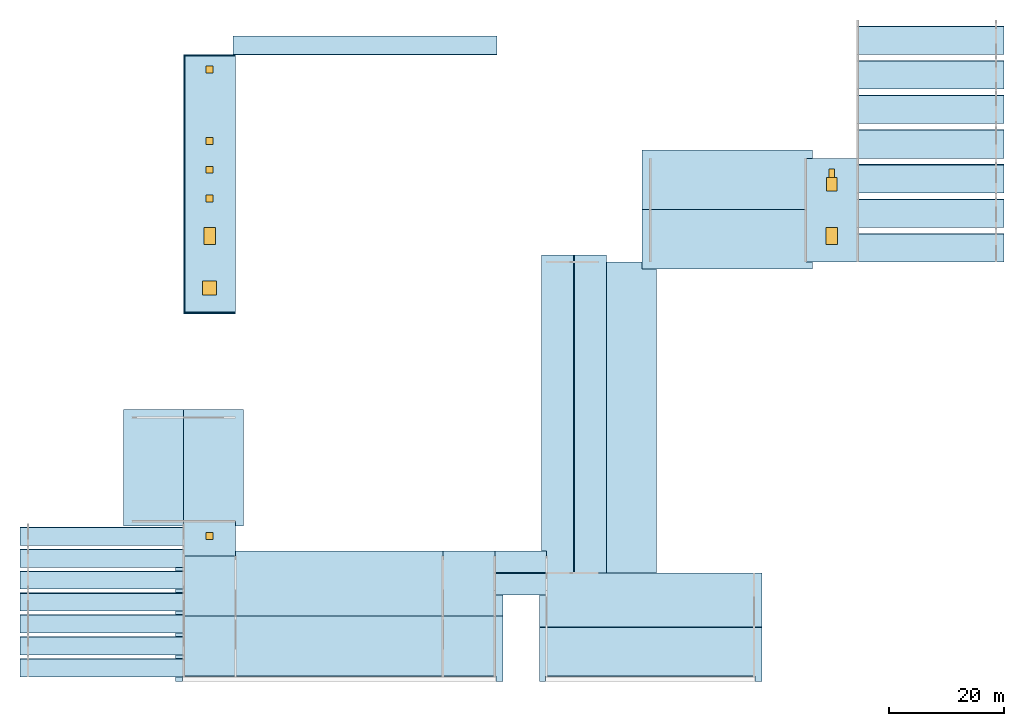
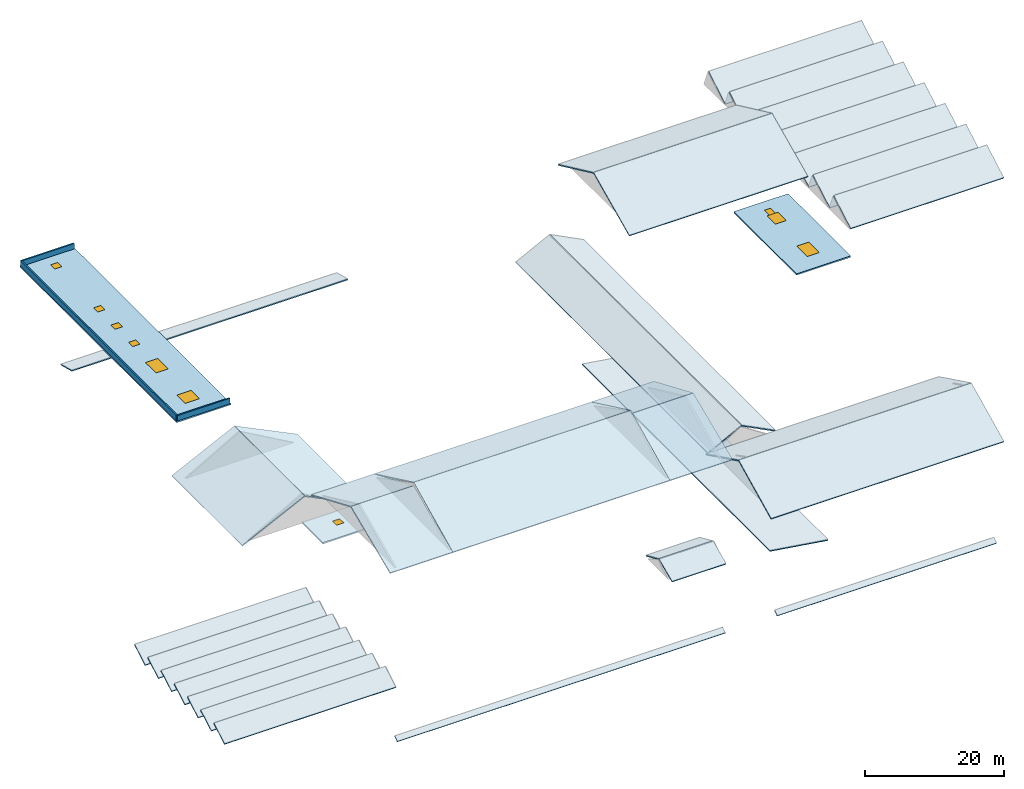
"""IFC4 building model written with IfcOpenShell, lengths in metres."""

from ifc_helpers import new_model, si_unit, direction, frame, frame_2d, origin, origin_2d, place, context, subcontext, project, spatial, polyline, rectangle, outline, extrude, material, layer, layer_set, type_object, element, fill, save


model = new_model("IFC4")

# Units and contexts
model_context = context("Model", 3, precision=1e-05, world=origin(), true_north=direction((0.0, 1.0)))
body_context = subcontext(model_context, "Body", "Model", "MODEL_VIEW")
ifc_project = project(units=[si_unit("LENGTHUNIT", "METRE"), si_unit("AREAUNIT", "SQUARE_METRE"), si_unit("VOLUMEUNIT", "CUBIC_METRE"), si_unit("PLANEANGLEUNIT", "RADIAN"), si_unit("MASSUNIT", "GRAM", prefix="KILO")], contexts=[model_context])

# Site, building, storey
site_placement = place(None, origin())
site = spatial("IfcSite", under=ifc_project, at=site_placement, CompositionType="ELEMENT")
building_placement = place(site_placement, origin())
building = spatial("IfcBuilding", under=site, at=building_placement, Name="Lykobir Media Centre", CompositionType="ELEMENT")
storey_1_placement = place(building_placement, frame((0.0, 0.0, 40.199951171875)))
storey_1 = spatial("IfcBuildingStorey", under=building, at=storey_1_placement, Name="Roof", CompositionType="ELEMENT", Elevation=40.199951171875)

# Slabs
ifc_material_1 = material(Name="Concrete C30/37", Category="concrete")
ifc_layer_1 = layer(ifc_material_1, 0.169921875, Name="Concrete C30/37")
ifc_layer_set_1 = layer_set([ifc_layer_1], Name="Concrete C30/37")
slab_type_1 = type_object("IfcSlabType", Name="RS-170", PredefinedType="ROOF", material=ifc_layer_set_1)
slab_1_placement = place(storey_1_placement, frame((109.10009765625, 18.02001953125, -34.800048828125), z_axis=(0.148608369023, 0.0, 0.988896128345), x_axis=(0.0, 1.0, 0.0)))
element("IfcSlab", 1, at=slab_1_placement, inside=storey_1, type_object=slab_type_1, Name="East Cloister podium roof structural deck", PredefinedType="ROOF", context=body_context, shape_type="SweptSolid", body=[
    extrude(outline(polyline([(0.0, 0.0), (53.9599609375, 0.0), (53.9599609375, 9.758503656518869), (0.0, 9.758503656518869), (0.0, 0.0)])), origin(), (0.0, 0.0, -1.0), 0.169921875),
])
slab_2_placement = place(storey_1_placement, frame((26.800048828125, -0.780029296875, -30.0), z_axis=(0.0, -0.576291473661, 0.81724423362), x_axis=(1.0, 0.0, 0.0)))
element("IfcSlab", 2, at=slab_2_placement, inside=storey_1, type_object=slab_type_1, Name="South Avenue West Revak portico roof structural deck", PredefinedType="ROOF", context=body_context, shape_type="SweptSolid", body=[
    extrude(outline(polyline([(0.0, 0.0), (54.39990234375, 0.0), (54.39990234375, 0.954462894671654), (0.0, 0.954462894671654), (0.0, 0.0)])), origin(), (0.0, 0.0, -1.0), 0.169921875),
])
slab_3_placement = place(storey_1_placement, frame((89.800048828125, -0.780029296875, -30.0), z_axis=(0.0, -0.576291473661, 0.81724423362), x_axis=(1.0, 0.0, 0.0)))
element("IfcSlab", 3, at=slab_3_placement, inside=storey_1, type_object=slab_type_1, Name="South Avenue East Revak portico roof structural deck", PredefinedType="ROOF", context=body_context, shape_type="SweptSolid", body=[
    extrude(outline(polyline([(0.0, 0.0), (36.39990234375, 0.0), (36.39990234375, 0.954462894671654), (0.0, 0.954462894671654), (0.0, 0.0)])), origin(), (0.0, 0.0, -1.0), 0.169921875),
])
slab_4_placement = place(storey_1_placement, frame((35.60009765625, 111.199951171875, -34.800048828125), z_axis=(0.0, 0.256753821904, 0.966476836214), x_axis=(1.0, 0.0, 0.0)))
element("IfcSlab", 4, at=slab_4_placement, inside=storey_1, type_object=slab_type_1, Name="North Avenue Revak entrance portico roof structural deck", PredefinedType="ROOF", context=body_context, shape_type="SweptSolid", body=[
    extrude(outline(polyline([(0.0, 0.0), (45.7998046875, 0.0), (45.7998046875, -3.310944506865968), (0.0, -3.310944506865968), (0.0, 0.0)])), origin(), (0.0, 0.0, -1.0), 0.169921875),
])
ifc_layer_2 = layer(ifc_material_1, 0.18994140625, Name="Concrete C30/37")
ifc_layer_set_2 = layer_set([ifc_layer_2], Name="Concrete C30/37")
slab_type_2 = type_object("IfcSlabType", Name="RS-190", PredefinedType="ROOF", material=ifc_layer_set_2)
for number, where, z_axis, x_axis, name in (
    (5, (16.60009765625, 46.39990234375, -8.39990234375), (-0.438871393372, 0.0, 0.898549887363), (0.0, -1.0, 0.0), "V3-PAV roof slope W"),
    (6, (37.39990234375, 26.199951171875, -8.39990234375), (0.438871393372, 0.0, 0.898549887363), (0.0, 1.0, 0.0), "V3-PAV roof slope E"),
):
    element("IfcSlab", number, at=place(storey_1_placement, frame(where, z_axis=z_axis, x_axis=x_axis)), inside=storey_1, type_object=slab_type_2, Name=name, PredefinedType="ROOF", context=body_context, shape_type="SweptSolid", body=[
        extrude(outline(polyline([(0.0, 0.0), (20.199951171875, 0.0), (20.199951171875, 11.557521637560678), (0.0, 11.557521637560678), (0.0, 0.0)])), origin(), (0.0, 0.0, -1.0), 0.18994140625),
    ])
slab_5_placement = place(storey_1_placement, frame((88.800048828125, -0.780029296875, -12.599853515625), z_axis=(0.0, -0.438935631142, 0.898518509389), x_axis=(1.0, 0.0, 0.0)))
element("IfcSlab", 7, at=slab_5_placement, inside=storey_1, type_object=slab_type_2, Name="V5-SOUTH roof slope S", PredefinedType="ROOF", context=body_context, shape_type="SweptSolid", body=[
    extrude(outline(polyline([(0.0, 0.0), (38.599853515625, 0.0), (38.599853515625, 10.41726722829819), (0.0, 10.41726722829819), (0.0, 0.0)])), origin(), (0.0, 0.0, -1.0), 0.18994140625),
])
slab_6_placement = place(storey_1_placement, frame((127.39990234375, 17.969970703125, -12.599853515625), z_axis=(0.0, 0.438944874338, 0.898513993933), x_axis=(-1.0, 0.0, 0.0)))
element("IfcSlab", 8, at=slab_6_placement, inside=storey_1, type_object=slab_type_2, Name="V5-SOUTH roof slope N", PredefinedType="ROOF", context=body_context, shape_type="SweptSolid", body=[
    extrude(outline(polyline([(0.0, 0.0), (38.599853515625, 0.0), (38.599853515625, 10.417047863978931), (0.0, 10.417047863978931), (0.0, 0.0)])), origin(), (0.0, 0.0, -1.0), 0.18994140625),
])
for number, where, z_axis, x_axis, name in (
    (9, (89.10009765625, 73.199951171875, -12.599853515625), (-0.453990077236, 0.0, 0.891006739465), (0.0, -1.0, 0.0), "V5-PASAJ roof slope W"),
    (10, (100.39990234375, 18.030029296875, -12.599853515625), (0.453990077236, 0.0, 0.891006739465), (0.0, 1.0, 0.0), "V5-PASAJ roof slope E"),
):
    element("IfcSlab", number, at=place(storey_1_placement, frame(where, z_axis=z_axis, x_axis=x_axis)), inside=storey_1, type_object=slab_type_2, Name=name, PredefinedType="ROOF", context=body_context, shape_type="SweptSolid", body=[
        extrude(outline(polyline([(0.0, 0.0), (55.169921875, 0.0), (55.169921875, 6.256912461990695), (0.0, 6.256912461990695), (0.0, 0.0)])), origin(), (0.0, 0.0, -1.0), 0.18994140625),
    ])
for number, where, z_axis, x_axis, name in (
    (11, (106.60009765625, 70.800048828125, -12.599853515625), (0.0, -0.423128004547, 0.906069915497), (1.0, 0.0, 0.0), "V5-NORTH roof slope S"),
    (12, (136.199951171875, 91.39990234375, -12.599853515625), (0.0, 0.423128004547, 0.906069915497), (-1.0, 0.0, 0.0), "V5-NORTH roof slope N"),
):
    element("IfcSlab", number, at=place(storey_1_placement, frame(where, z_axis=z_axis, x_axis=x_axis)), inside=storey_1, type_object=slab_type_2, Name=name, PredefinedType="ROOF", context=body_context, shape_type="SweptSolid", body=[
        extrude(outline(polyline([(0.0, 0.0), (29.599853515625, 0.0), (29.599853515625, 11.351124161030214), (0.0, 11.351124161030214), (0.0, 0.0)])), origin(), (0.0, 0.0, -1.0), 0.18994140625),
    ])
for number, where, z_axis, x_axis, name in (
    (13, (25.60009765625, -0.780029296875, 0.0), (0.0, -0.391172218266, 0.920317497202), (1.0, 0.0, 0.0), "V7-WEST roof slope S"),
    (14, (36.0, 21.85009765625, 0.0), (0.0, 0.391172218266, 0.920317497202), (-1.0, 0.0, 0.0), "V7-WEST roof slope N"),
):
    element("IfcSlab", number, at=place(storey_1_placement, frame(where, z_axis=z_axis, x_axis=x_axis)), inside=storey_1, type_object=slab_type_2, Name=name, PredefinedType="ROOF", context=body_context, shape_type="SweptSolid", body=[
        extrude(outline(polyline([(0.0, 0.0), (10.39990234375, 0.0), (10.39990234375, 12.278424416005684), (0.0, 12.278424416005684), (0.0, 0.0)])), origin(), (0.0, 0.0, -1.0), 0.18994140625),
    ])
for number, where, z_axis, x_axis, name in (
    (15, (36.010009765625, -0.780029296875, 0.0), (0.0, -0.430974609099, 0.9023640542), (1.0, 0.0, 0.0), "V7-CROWN roof slope S"),
    (16, (71.989990234375, 21.85009765625, 0.0), (0.0, 0.430974609099, 0.9023640542), (-1.0, 0.0, 0.0), "V7-CROWN roof slope N"),
):
    element("IfcSlab", number, at=place(storey_1_placement, frame(where, z_axis=z_axis, x_axis=x_axis)), inside=storey_1, type_object=slab_type_2, Name=name, PredefinedType="ROOF", context=body_context, shape_type="SweptSolid", body=[
        extrude(outline(polyline([(0.0, 0.0), (35.97998046875, 0.0), (35.97998046875, 12.522716054048313), (0.0, 12.522716054048313), (0.0, 0.0)])), origin(), (0.0, 0.0, -1.0), 0.18994140625),
    ])
for number, where, z_axis, x_axis, name in (
    (17, (72.0, -0.780029296875, 0.0), (0.0, -0.391172218266, 0.920317497202), (1.0, 0.0, 0.0), "V7-EAST roof slope S"),
    (18, (82.39990234375, 21.85009765625, 0.0), (0.0, 0.391172218266, 0.920317497202), (-1.0, 0.0, 0.0), "V7-EAST roof slope N"),
):
    element("IfcSlab", number, at=place(storey_1_placement, frame(where, z_axis=z_axis, x_axis=x_axis)), inside=storey_1, type_object=slab_type_2, Name=name, PredefinedType="ROOF", context=body_context, shape_type="SweptSolid", body=[
        extrude(outline(polyline([(0.0, 0.0), (10.39990234375, 0.0), (10.39990234375, 12.278424416005684), (0.0, 12.278424416005684), (0.0, 0.0)])), origin(), (0.0, 0.0, -1.0), 0.18994140625),
    ])
for number, where, z_axis, x_axis, name in (
    (19, (81.02001953125, 14.199951171875, -30.0), (0.0, -0.406721688436, 0.913552115731), (1.0, 0.0, 0.0), "BR1-CAN roof slope S"),
    (20, (89.97998046875, 21.800048828125, -30.0), (0.0, 0.406721688436, 0.913552115731), (-1.0, 0.0, 0.0), "BR1-CAN roof slope N"),
):
    element("IfcSlab", number, at=place(storey_1_placement, frame(where, z_axis=z_axis, x_axis=x_axis)), inside=storey_1, type_object=slab_type_2, Name=name, PredefinedType="ROOF", context=body_context, shape_type="SweptSolid", body=[
        extrude(outline(polyline([(0.0, 0.0), (8.9599609375, 0.0), (8.9599609375, 4.077597317227179), (0.0, 4.077597317227179), (0.0, 0.0)])), origin(), (0.0, 0.0, -1.0), 0.18994140625),
    ])
ifc_layer_3 = layer(ifc_material_1, 0.2099609375, Name="Concrete C30/37")
ifc_layer_set_3 = layer_set([ifc_layer_3], Name="Concrete C30/37")
slab_type_3 = type_object("IfcSlabType", Name="RS-210", PredefinedType="ROOF", material=ifc_layer_set_3)
for number, where, z_axis, x_axis, name in (
    (21, (-1.39990234375, 0.0, -21.0), (0.0, -0.500013496215, 0.866017611601), (1.0, 0.0, 0.0), "V1 sawtooth roof slope 1"),
    (22, (-1.39990234375, 3.800048828125, -21.0), (0.0, -0.500013496215, 0.866017611601), (1.0, 0.0, 0.0), "V1 sawtooth roof slope 2"),
    (23, (-1.39990234375, 7.60009765625, -21.0), (0.0, -0.500013496215, 0.866017611601), (1.0, 0.0, 0.0), "V1 sawtooth roof slope 3"),
    (24, (-1.39990234375, 11.39990234375, -21.0), (0.0, -0.500013496215, 0.866017611601), (1.0, 0.0, 0.0), "V1 sawtooth roof slope 4"),
    (25, (-1.39990234375, 15.199951171875, -21.0), (0.0, -0.500013496215, 0.866017611601), (1.0, 0.0, 0.0), "V1 sawtooth roof slope 5"),
    (26, (-1.39990234375, 19.0, -21.0), (0.0, -0.500013496215, 0.866017611601), (1.0, 0.0, 0.0), "V1 sawtooth roof slope 6"),
    (27, (-1.39990234375, 22.800048828125, -21.0), (0.0, -0.500013496215, 0.866017611601), (1.0, 0.0, 0.0), "V1 sawtooth roof slope 7"),
):
    element("IfcSlab", number, at=place(storey_1_placement, frame(where, z_axis=z_axis, x_axis=x_axis)), inside=storey_1, type_object=slab_type_3, Name=name, PredefinedType="ROOF", context=body_context, shape_type="SweptSolid", body=[
        extrude(outline(polyline([(0.0, 0.0), (28.39990234375, 0.0), (28.39990234375, 3.5580094294270306), (0.0, 3.5580094294270306), (0.0, 0.0)])), origin(), (0.0, 0.0, -1.0), 0.2099609375),
    ])
for number, where, z_axis, x_axis, name in (
    (28, (144.0, 72.0, -25.199951171875), (0.0, -0.500004601921, 0.866022746848), (1.0, 0.0, 0.0), "V2 sawtooth roof slope 1"),
    (29, (144.0, 78.0, -25.199951171875), (0.0, -0.500004601921, 0.866022746848), (1.0, 0.0, 0.0), "V2 sawtooth roof slope 2"),
    (30, (144.0, 84.0, -25.199951171875), (0.0, -0.500004601921, 0.866022746848), (1.0, 0.0, 0.0), "V2 sawtooth roof slope 3"),
    (31, (144.0, 90.0, -25.199951171875), (0.0, -0.500004601921, 0.866022746848), (1.0, 0.0, 0.0), "V2 sawtooth roof slope 4"),
    (32, (144.0, 96.0, -25.199951171875), (0.0, -0.500004601921, 0.866022746848), (1.0, 0.0, 0.0), "V2 sawtooth roof slope 5"),
    (33, (144.0, 102.0, -25.199951171875), (0.0, -0.500004601921, 0.866022746848), (1.0, 0.0, 0.0), "V2 sawtooth roof slope 6"),
    (34, (144.0, 108.0, -25.199951171875), (0.0, -0.500004601921, 0.866022746848), (1.0, 0.0, 0.0), "V2 sawtooth roof slope 7"),
):
    element("IfcSlab", number, at=place(storey_1_placement, frame(where, z_axis=z_axis, x_axis=x_axis)), inside=storey_1, type_object=slab_type_3, Name=name, PredefinedType="ROOF", context=body_context, shape_type="SweptSolid", body=[
        extrude(outline(polyline([(0.0, 0.0), (25.39990234375, 0.0), (25.39990234375, 5.6176240775237725), (0.0, 5.6176240775237725), (0.0, 0.0)])), origin(), (0.0, 0.0, -1.0), 0.2099609375),
    ])

# Slab, openings
ifc_layer_4 = layer(ifc_material_1, 0.239990234375, Name="Concrete C30/37")
ifc_layer_set_4 = layer_set([ifc_layer_4], Name="Concrete C30/37")
slab_type_4 = type_object("IfcSlabType", Name="RS-220", PredefinedType="ROOF", material=ifc_layer_set_4)
slab_7_placement = place(storey_1_placement, frame((0.0, 0.0, -12.83984375)))
slab_7 = element("IfcSlab", 35, at=slab_7_placement, inside=storey_1, type_object=slab_type_4, Name="Flat maintenance roof slab RSLAB-V6-NWFLAT", PredefinedType="ROOF", context=body_context, shape_type="SweptSolid", body=[
    extrude(outline(polyline([(27.0, 63.0), (36.0, 63.0), (36.0, 108.0), (27.0, 108.0), (27.0, 63.0)])), origin(), (0.0, 0.0, 1.0), 0.239990234375),
])
opening_1_placement = place(slab_7_placement, frame((31.5, 67.5, 0.0)))
opening_1 = element("IfcOpeningElement", 36, at=opening_1_placement, cuts=slab_7, Name="Opening SK-2400x2400", PredefinedType="OPENING", context=body_context, shape_type="SweptSolid", body=[
    extrude(rectangle(XDim=2.39990234375, YDim=2.39990234375, at=origin_2d()), origin(), (0.0, 0.0, 1.0), 0.239990234375),
])
opening_2_placement = place(slab_7_placement, frame((31.5, 76.5, 0.0)))
opening_2 = element("IfcOpeningElement", 37, at=opening_2_placement, cuts=slab_7, Name="Opening SK-2000x3000", PredefinedType="OPENING", context=body_context, shape_type="SweptSolid", body=[
    extrude(rectangle(XDim=2.0, YDim=3.0, at=origin_2d()), origin(), (0.0, 0.0, 1.0), 0.239990234375),
])
opening_3_placement = place(slab_7_placement, frame((31.5, 105.39990234375, 0.0)))
opening_3 = element("IfcOpeningElement", 38, at=opening_3_placement, cuts=slab_7, Name="Opening D-RH-01", PredefinedType="OPENING", context=body_context, shape_type="SweptSolid", body=[
    extrude(rectangle(XDim=1.199951171875, YDim=1.199951171875, at=origin_2d()), origin(), (0.0, 0.0, 1.0), 0.239990234375),
])
opening_4_placement = place(slab_7_placement, frame((31.5, 83.0, 0.0)))
opening_4 = element("IfcOpeningElement", 39, at=opening_4_placement, cuts=slab_7, Name="Opening D-RH-04", PredefinedType="OPENING", context=body_context, shape_type="SweptSolid", body=[
    extrude(rectangle(XDim=1.199951171875, YDim=1.199951171875, at=origin_2d()), origin(), (0.0, 0.0, 1.0), 0.239990234375),
])
opening_5_placement = place(slab_7_placement, frame((31.5, 88.0, 0.0)))
opening_5 = element("IfcOpeningElement", 40, at=opening_5_placement, cuts=slab_7, Name="Opening D-RH-05", PredefinedType="OPENING", context=body_context, shape_type="SweptSolid", body=[
    extrude(rectangle(XDim=1.199951171875, YDim=1.199951171875, at=origin_2d()), origin(), (0.0, 0.0, 1.0), 0.239990234375),
])
opening_6_placement = place(slab_7_placement, frame((31.5, 93.0, 0.0)))
opening_6 = element("IfcOpeningElement", 41, at=opening_6_placement, cuts=slab_7, Name="Opening D-RH-06", PredefinedType="OPENING", context=body_context, shape_type="SweptSolid", body=[
    extrude(rectangle(XDim=1.199951171875, YDim=1.199951171875, at=origin_2d()), origin(), (0.0, 0.0, 1.0), 0.239990234375),
])

# Storey
storey_2_placement = place(building_placement, frame((0.0, 0.0, 23.39990234375)))
storey_2 = spatial("IfcBuildingStorey", under=building, at=storey_2_placement, Name="L05", CompositionType="ELEMENT", Elevation=23.39990234375)

# Door
ifc_material_2 = material(Name="Anodized Aluminium AW-6060", Category="aluminium")
door_type_1 = type_object("IfcDoorType", Name="RH-1200x1200", OperationType="NOTDEFINED", PredefinedType="TRAPDOOR", material=ifc_material_2)
door_1_placement = place(opening_3_placement, frame((0.0, 0.0, 0.18994140625)))
door_1 = element("IfcDoor", 42, at=door_1_placement, inside=storey_2, type_object=door_type_1, Name="Maintenance roof access hatch 1", OperationType="SINGLE_SWING_LEFT", OverallHeight=1.199951171875, OverallWidth=1.199951171875, PredefinedType="TRAPDOOR", context=body_context, shape_type="SweptSolid", body=[
    extrude(rectangle(XDim=1.199951171875, YDim=1.199951171875, at=origin_2d()), origin(), (0.0, 0.0, 1.0), 0.050048828125),
])

fill(opening_3, door_1)

door_2_placement = place(opening_4_placement, frame((0.0, 0.0, 0.18994140625)))
door_2 = element("IfcDoor", 43, at=door_2_placement, inside=storey_2, type_object=door_type_1, Name="Maintenance roof access hatch 4", OperationType="SINGLE_SWING_LEFT", OverallHeight=1.199951171875, OverallWidth=1.199951171875, PredefinedType="TRAPDOOR", context=body_context, shape_type="SweptSolid", body=[
    extrude(rectangle(XDim=1.199951171875, YDim=1.199951171875, at=origin_2d()), origin(), (0.0, 0.0, 1.0), 0.050048828125),
])

fill(opening_4, door_2)

door_3_placement = place(opening_5_placement, frame((0.0, 0.0, 0.18994140625)))
door_3 = element("IfcDoor", 44, at=door_3_placement, inside=storey_2, type_object=door_type_1, Name="Maintenance roof access hatch 5", OperationType="SINGLE_SWING_LEFT", OverallHeight=1.199951171875, OverallWidth=1.199951171875, PredefinedType="TRAPDOOR", context=body_context, shape_type="SweptSolid", body=[
    extrude(rectangle(XDim=1.199951171875, YDim=1.199951171875, at=origin_2d()), origin(), (0.0, 0.0, 1.0), 0.050048828125),
])

fill(opening_5, door_3)

door_4_placement = place(opening_6_placement, frame((0.0, 0.0, 0.18994140625)))
door_4 = element("IfcDoor", 45, at=door_4_placement, inside=storey_2, type_object=door_type_1, Name="Maintenance roof access hatch 6", OperationType="SINGLE_SWING_LEFT", OverallHeight=1.199951171875, OverallWidth=1.199951171875, PredefinedType="TRAPDOOR", context=body_context, shape_type="SweptSolid", body=[
    extrude(rectangle(XDim=1.199951171875, YDim=1.199951171875, at=origin_2d()), origin(), (0.0, 0.0, 1.0), 0.050048828125),
])

fill(opening_6, door_4)

# Window
ifc_material_3 = material(Name="Low-E Laminated Triple Glazing", Category="glass")
window_type_1 = type_object("IfcWindowType", Name="SK-2000x3000", PartitioningType="SINGLE_PANEL", PredefinedType="SKYLIGHT", material=ifc_material_3)
window_1_placement = place(opening_2_placement, frame((0.0, 0.0, 0.18994140625)))
window_1 = element("IfcWindow", 46, at=window_1_placement, inside=storey_2, type_object=window_type_1, Name="Roof skylight 2", OverallHeight=3.0, OverallWidth=2.0, PartitioningType="SINGLE_PANEL", PredefinedType="SKYLIGHT", context=body_context, shape_type="SweptSolid", body=[
    extrude(rectangle(XDim=2.0, YDim=3.0, at=origin_2d()), origin(), (0.0, 0.0, 1.0), 0.050048828125),
])

fill(opening_2, window_1)

window_type_2 = type_object("IfcWindowType", Name="SK-2400x2400", PartitioningType="SINGLE_PANEL", PredefinedType="SKYLIGHT", material=ifc_material_3)
window_2_placement = place(opening_1_placement, frame((0.0, 0.0, 0.18994140625)))
window_2 = element("IfcWindow", 47, at=window_2_placement, inside=storey_2, type_object=window_type_2, Name="Roof skylight 1", OverallHeight=2.39990234375, OverallWidth=2.39990234375, PartitioningType="SINGLE_PANEL", PredefinedType="SKYLIGHT", context=body_context, shape_type="SweptSolid", body=[
    extrude(rectangle(XDim=2.39990234375, YDim=2.39990234375, at=origin_2d()), origin(), (0.0, 0.0, 1.0), 0.050048828125),
])

fill(opening_1, window_2)

# Slab, openings
slab_8_placement = place(storey_1_placement, frame((0.0, 0.0, -30.239990234375)))
slab_8 = element("IfcSlab", 48, at=slab_8_placement, inside=storey_1, type_object=slab_type_4, Name="Flat maintenance roof slab RSLAB-V2-GAL", PredefinedType="ROOF", context=body_context, shape_type="SweptSolid", body=[
    extrude(outline(polyline([(135.0, 72.0), (144.0, 72.0), (144.0, 90.0), (135.0, 90.0), (135.0, 72.0)])), origin(), (0.0, 0.0, 1.0), 0.239990234375),
])
opening_7_placement = place(slab_8_placement, frame((139.5, 76.5, 0.0)))
opening_7 = element("IfcOpeningElement", 49, at=opening_7_placement, cuts=slab_8, Name="Opening SK-2000x3000", PredefinedType="OPENING", context=body_context, shape_type="SweptSolid", body=[
    extrude(rectangle(XDim=2.0, YDim=3.0, at=origin_2d()), origin(), (0.0, 0.0, 1.0), 0.239990234375),
])
opening_8_placement = place(slab_8_placement, frame((139.5, 85.5, 0.0)))
opening_8 = element("IfcOpeningElement", 50, at=opening_8_placement, cuts=slab_8, Name="Opening SK-1800x2400", PredefinedType="OPENING", context=body_context, shape_type="SweptSolid", body=[
    extrude(rectangle(XDim=1.800048828125, YDim=2.39990234375, at=origin_2d()), origin(), (0.0, 0.0, 1.0), 0.239990234375),
])
opening_9_placement = place(slab_8_placement, frame((139.5, 87.39990234375, 0.0)))
opening_9 = element("IfcOpeningElement", 51, at=opening_9_placement, cuts=slab_8, Name="Opening D-RH-02", PredefinedType="OPENING", context=body_context, shape_type="SweptSolid", body=[
    extrude(rectangle(XDim=1.0, YDim=1.39990234375, at=origin_2d()), origin(), (0.0, 0.0, 1.0), 0.239990234375),
])

# Storey
storey_3_placement = place(building_placement, frame((0.0, 0.0, 5.39990234375)))
storey_3 = spatial("IfcBuildingStorey", under=building, at=storey_3_placement, Name="L01", CompositionType="ELEMENT", Elevation=5.39990234375)

# Door
door_type_2 = type_object("IfcDoorType", Name="RH-1000x1400", OperationType="NOTDEFINED", PredefinedType="TRAPDOOR", material=ifc_material_2)
door_5_placement = place(opening_9_placement, frame((0.0, 0.0, 0.18994140625)))
door_5 = element("IfcDoor", 52, at=door_5_placement, inside=storey_3, type_object=door_type_2, Name="Maintenance roof access hatch 2", OperationType="SINGLE_SWING_LEFT", OverallHeight=1.39990234375, OverallWidth=1.0, PredefinedType="TRAPDOOR", context=body_context, shape_type="SweptSolid", body=[
    extrude(rectangle(XDim=1.0, YDim=1.39990234375, at=origin_2d()), origin(), (0.0, 0.0, 1.0), 0.050048828125),
])

fill(opening_9, door_5)

# Window
window_type_3 = type_object("IfcWindowType", Name="SK-1800x2400", PartitioningType="SINGLE_PANEL", PredefinedType="SKYLIGHT", material=ifc_material_3)
window_3_placement = place(opening_8_placement, frame((0.0, 0.0, 0.18994140625)))
window_3 = element("IfcWindow", 53, at=window_3_placement, inside=storey_3, type_object=window_type_3, Name="Roof skylight 4", OverallHeight=2.39990234375, OverallWidth=1.800048828125, PartitioningType="SINGLE_PANEL", PredefinedType="SKYLIGHT", context=body_context, shape_type="SweptSolid", body=[
    extrude(rectangle(XDim=1.800048828125, YDim=2.39990234375, at=origin_2d()), origin(), (0.0, 0.0, 1.0), 0.050048828125),
])

fill(opening_8, window_3)

window_4_placement = place(opening_7_placement, frame((0.0, 0.0, 0.18994140625)))
window_4 = element("IfcWindow", 54, at=window_4_placement, inside=storey_3, type_object=window_type_1, Name="Roof skylight 3", OverallHeight=3.0, OverallWidth=2.0, PartitioningType="SINGLE_PANEL", PredefinedType="SKYLIGHT", context=body_context, shape_type="SweptSolid", body=[
    extrude(rectangle(XDim=2.0, YDim=3.0, at=origin_2d()), origin(), (0.0, 0.0, 1.0), 0.050048828125),
])

fill(opening_7, window_4)

# Slab, opening
slab_9_placement = place(storey_1_placement, frame((0.0, 0.0, -8.639892578125)))
slab_9 = element("IfcSlab", 55, at=slab_9_placement, inside=storey_1, type_object=slab_type_4, Name="Flat maintenance roof slab RSLAB-C3-TOP", PredefinedType="ROOF", context=body_context, shape_type="SweptSolid", body=[
    extrude(outline(polyline([(27.0, 21.0), (36.0, 21.0), (36.0, 27.0), (27.0, 27.0), (27.0, 21.0)])), origin(), (0.0, 0.0, 1.0), 0.239990234375),
])
opening_10_placement = place(slab_9_placement, frame((31.5, 24.39990234375, 0.0)))
opening_10 = element("IfcOpeningElement", 56, at=opening_10_placement, cuts=slab_9, Name="Opening D-RH-03", PredefinedType="OPENING", context=body_context, shape_type="SweptSolid", body=[
    extrude(rectangle(XDim=1.199951171875, YDim=1.199951171875, at=origin_2d()), origin(), (0.0, 0.0, 1.0), 0.239990234375),
])

# Storey
storey_4_placement = place(building_placement, frame((0.0, 0.0, 27.60009765625)))
storey_4 = spatial("IfcBuildingStorey", under=building, at=storey_4_placement, Name="L06", CompositionType="ELEMENT", Elevation=27.60009765625)

# Door
door_6_placement = place(opening_10_placement, frame((0.0, 0.0, 0.18994140625)))
door_6 = element("IfcDoor", 57, at=door_6_placement, inside=storey_4, type_object=door_type_1, Name="Maintenance roof access hatch 3", OperationType="SINGLE_SWING_LEFT", OverallHeight=1.199951171875, OverallWidth=1.199951171875, PredefinedType="TRAPDOOR", context=body_context, shape_type="SweptSolid", body=[
    extrude(rectangle(XDim=1.199951171875, YDim=1.199951171875, at=origin_2d()), origin(), (0.0, 0.0, 1.0), 0.050048828125),
])

fill(opening_10, door_6)

# Walls
ifc_material_4 = material(Name="Honed Travertine Stone", Category="masonry")
ifc_layer_5 = layer(ifc_material_4, 0.239990234375, Name="Honed Travertine Stone")
ifc_layer_set_5 = layer_set([ifc_layer_5], Name="Honed Travertine Stone")
wall_type = type_object("IfcWallType", Name="PW-PAR-240", PredefinedType="PARAPET", material=ifc_layer_set_5)
wall_placement = place(storey_1_placement, frame((27.1201171875, 63.1201171875, -12.599853515625), z_axis=(0.0, 0.0, 1.0), x_axis=(0.0, 1.0, 0.0)))
element("IfcWall", 58, at=wall_placement, inside=storey_1, type_object=wall_type, Name="NW roof parapet WALL-PAR-0384", PredefinedType="PARAPET", context=body_context, shape_type="SweptSolid", body=[
    extrude(rectangle(XDim=44.759765625, YDim=0.239990234375, at=frame_2d((22.3798828125, 0.0))), origin(), (0.0, 0.0, 1.0), 0.949951171875),
])
for number, where, z_axis, x_axis, name in (
    (59, (27.1201171875, 107.8798828125, -12.599853515625), (0.0, 0.0, 1.0), (1.0, 0.0, 0.0), "NW roof parapet WALL-PAR-0385"),
    (60, (27.1201171875, 63.1201171875, -12.599853515625), (0.0, 0.0, 1.0), (1.0, 0.0, 0.0), "NW roof parapet WALL-PAR-0386"),
):
    element("IfcWall", number, at=place(storey_1_placement, frame(where, z_axis=z_axis, x_axis=x_axis)), inside=storey_1, type_object=wall_type, Name=name, PredefinedType="PARAPET", context=body_context, shape_type="SweptSolid", body=[
        extrude(rectangle(XDim=8.759765625, YDim=0.239990234375, at=frame_2d((4.3798828125, 0.0))), origin(), (0.0, 0.0, 1.0), 0.949951171875),
    ])

save(model, "model.ifc")
